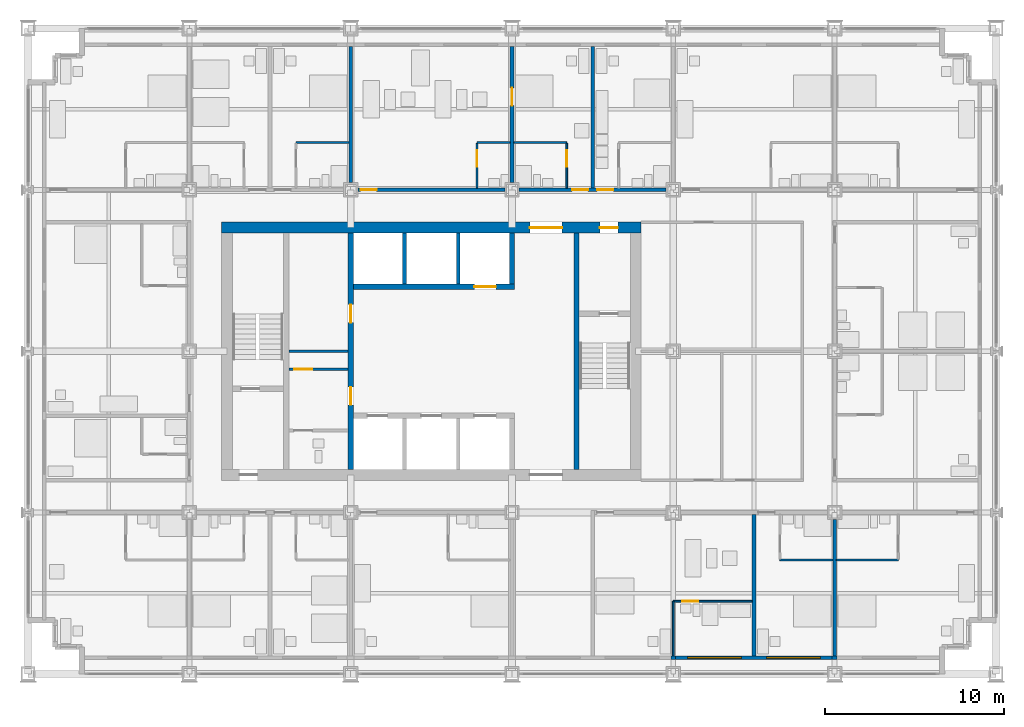
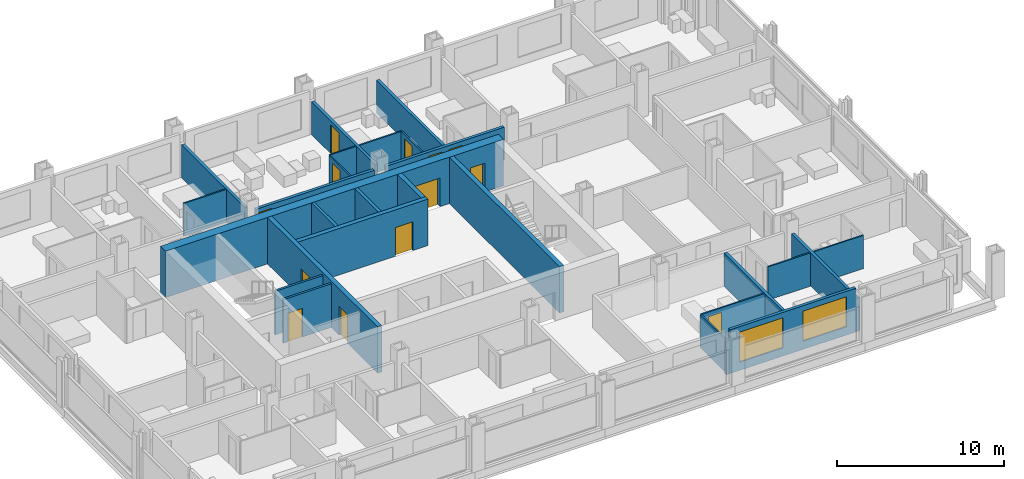
# One storey, part 12 of 18: 28 walls, 13 doors, 2 windows, 15 openings.
"""IFC4 building model written with IfcOpenShell, lengths in metres."""

from ifc_helpers import new_model, si_unit, direction, frame, frame_2d, origin, place, context, subcontext, project, spatial, rectangle, extrude, material, layer, layer_set, type_object, element, fill, save


model = new_model("IFC4")

# Units and contexts
model_context = context("Model", 3, precision=1e-05, world=origin(), true_north=direction((0.0, 1.0)))
body_context = subcontext(model_context, "Body", "Model", "MODEL_VIEW")
ifc_project = project(units=[si_unit("LENGTHUNIT", "METRE"), si_unit("AREAUNIT", "SQUARE_METRE"), si_unit("VOLUMEUNIT", "CUBIC_METRE"), si_unit("PLANEANGLEUNIT", "RADIAN"), si_unit("MASSUNIT", "GRAM", prefix="KILO")], contexts=[model_context])

# Site, building, storey
site_placement = place(None, origin())
site = spatial("IfcSite", under=ifc_project, at=site_placement, CompositionType="ELEMENT")
building_placement = place(site_placement, origin())
building = spatial("IfcBuilding", under=site, at=building_placement, Name="Loomwork Tower", CompositionType="ELEMENT")
storey_placement = place(building_placement, frame((0.0, 0.0, 34.800048828125)))
storey = spatial("IfcBuildingStorey", under=building, at=storey_placement, Name="L07", CompositionType="ELEMENT", Elevation=34.800048828125)

# Wall, openings, doors
ifc_material_1 = material(Name="Concrete 14000 psi (97 MPa)", Category="concrete")
ifc_layer_1 = layer(ifc_material_1, 0.300048828125)
ifc_layer_set_1 = layer_set([ifc_layer_1], Name="Core shear wall 300")
wall_type_1 = type_object("IfcWallType", Name="Core shear wall 300", PredefinedType="SHEAR", material=ifc_layer_set_1)
wall_1_placement = place(storey_placement, frame((18.0, 11.39990234375, 0.0), z_axis=(0.0, 0.0, 1.0), x_axis=(0.0, 1.0, 0.0)))
wall_1 = element("IfcWall", 1, at=wall_1_placement, inside=storey, type_object=wall_type_1, Name="Lobby west wall L07", PredefinedType="SHEAR", context=body_context, shape_type="SweptSolid", body=[
    extrude(rectangle(XDim=13.2001953125, YDim=0.300048828125, at=frame_2d((6.60009765625, 0.0))), origin(), (0.0, 0.0, 1.0), 3.39990234375),
])
opening_1_placement = place(wall_1_placement, frame((3.60009765625, 0.0, 0.0)))
opening_1 = element("IfcOpeningElement", 2, at=opening_1_placement, cuts=wall_1, Name="Opening D5", PredefinedType="OPENING", context=body_context, shape_type="SweptSolid", body=[
    extrude(rectangle(XDim=1.0, YDim=2.10009765625, at=frame_2d((0.5, 1.050048828125))), frame((0.0, 0.159912109375, 0.0), z_axis=(0.0, -1.0, 0.0), x_axis=(1.0, 0.0, 0.0)), (0.0, 0.0, 1.0), 0.320068359375),
])
opening_2_placement = place(wall_1_placement, frame((8.199951171875, 0.0, 0.0)))
opening_2 = element("IfcOpeningElement", 3, at=opening_2_placement, cuts=wall_1, Name="Opening D5", PredefinedType="OPENING", context=body_context, shape_type="SweptSolid", body=[
    extrude(rectangle(XDim=1.0, YDim=2.10009765625, at=frame_2d((0.5, 1.050048828125))), frame((0.0, 0.159912109375, 0.0), z_axis=(0.0, -1.0, 0.0), x_axis=(1.0, 0.0, 0.0)), (0.0, 0.0, 1.0), 0.320068359375),
])
ifc_material_2 = material(Name="Hollow metal door and frame")
door_type_1 = type_object("IfcDoorType", Name="Service door 1000", OperationType="SINGLE_SWING_LEFT", PredefinedType="DOOR", material=ifc_material_2)
door_1_placement = place(opening_1_placement, origin())
door_1 = element("IfcDoor", 4, at=door_1_placement, inside=storey, type_object=door_type_1, Name="Back-of-house door south", OperationType="SINGLE_SWING_LEFT", OverallHeight=2.10009765625, OverallWidth=1.0, PredefinedType="DOOR", context=body_context, shape_type="SweptSolid", body=[
    extrude(rectangle(XDim=1.0, YDim=2.10009765625, at=frame_2d((0.5, 1.050048828125))), frame((0.0, 0.02490234375, 0.0), z_axis=(0.0, -1.0, 0.0), x_axis=(1.0, 0.0, 0.0)), (0.0, 0.0, 1.0), 0.050048828125),
])
fill(opening_1, door_1)
door_2_placement = place(opening_2_placement, origin())
door_2 = element("IfcDoor", 5, at=door_2_placement, inside=storey, type_object=door_type_1, Name="Back-of-house door north", OperationType="SINGLE_SWING_RIGHT", OverallHeight=2.10009765625, OverallWidth=1.0, PredefinedType="DOOR", context=body_context, shape_type="SweptSolid", body=[
    extrude(rectangle(XDim=1.0, YDim=2.10009765625, at=frame_2d((0.5, 1.050048828125))), frame((0.0, 0.02490234375, 0.0), z_axis=(0.0, -1.0, 0.0), x_axis=(1.0, 0.0, 0.0)), (0.0, 0.0, 1.0), 0.050048828125),
])
fill(opening_2, door_2)

# Wall, opening, door
wall_2_placement = place(storey_placement, frame((18.14990234375, 21.60009765625, 0.0), z_axis=(0.0, 0.0, 1.0), x_axis=(1.0, 0.0, 0.0)))
wall_2 = element("IfcWall", 6, at=wall_2_placement, inside=storey, type_object=wall_type_1, Name="Lift front wall north L07", PredefinedType="SHEAR", context=body_context, shape_type="SweptSolid", body=[
    extrude(rectangle(XDim=9.0, YDim=0.300048828125, at=frame_2d((4.5, 0.0))), origin(), (0.0, 0.0, 1.0), 3.39990234375),
])
opening_3_placement = place(wall_2_placement, frame((6.75, 0.0, 0.0)))
opening_3 = element("IfcOpeningElement", 7, at=opening_3_placement, cuts=wall_2, Name="Opening LD2", PredefinedType="OPENING", context=body_context, shape_type="SweptSolid", body=[
    extrude(rectangle(XDim=1.199951171875, YDim=2.10009765625, at=frame_2d((0.60009765625, 1.050048828125))), frame((0.0, 0.159912109375, 0.0), z_axis=(0.0, -1.0, 0.0), x_axis=(1.0, 0.0, 0.0)), (0.0, 0.0, 1.0), 0.320068359375),
])
ifc_material_3 = material(Name="Hollow metal door and frame")
door_type_2 = type_object("IfcDoorType", Name="Lift landing door 1200", OperationType="SLIDING_TO_LEFT", PredefinedType="DOOR", material=ifc_material_3)
door_3_placement = place(opening_3_placement, origin())
door_3 = element("IfcDoor", 8, at=door_3_placement, inside=storey, type_object=door_type_2, Name="Lift landing door LF2", OperationType="SLIDING_TO_LEFT", OverallHeight=2.10009765625, OverallWidth=1.199951171875, PredefinedType="DOOR", context=body_context, shape_type="SweptSolid", body=[
    extrude(rectangle(XDim=1.199951171875, YDim=2.10009765625, at=frame_2d((0.60009765625, 1.050048828125))), frame((0.0, 0.02490234375, 0.0), z_axis=(0.0, -1.0, 0.0), x_axis=(1.0, 0.0, 0.0)), (0.0, 0.0, 1.0), 0.050048828125),
])
fill(opening_3, door_3)

# Walls
wall_3_placement = place(storey_placement, frame((27.0, 21.75, 0.0), z_axis=(0.0, 0.0, 1.0), x_axis=(0.0, 1.0, 0.0)))
element("IfcWall", 9, at=wall_3_placement, inside=storey, type_object=wall_type_1, Name="Lift shaft end wall north L07", PredefinedType="SHEAR", context=body_context, shape_type="SweptSolid", body=[
    extrude(rectangle(XDim=2.85009765625, YDim=0.300048828125, at=frame_2d((1.425048828125, 0.0))), origin(), (0.0, 0.0, 1.0), 3.39990234375),
])
wall_4_placement = place(storey_placement, frame((30.60009765625, 11.39990234375, 0.0), z_axis=(0.0, 0.0, 1.0), x_axis=(0.0, 1.0, 0.0)))
element("IfcWall", 10, at=wall_4_placement, inside=storey, type_object=wall_type_1, Name="Stair B west wall L07", PredefinedType="SHEAR", context=body_context, shape_type="SweptSolid", body=[
    extrude(rectangle(XDim=13.2001953125, YDim=0.300048828125, at=frame_2d((6.60009765625, 0.0))), origin(), (0.0, 0.0, 1.0), 3.39990234375),
])

# Wall, openings, doors
ifc_material_4 = material(Name="Concrete 14000 psi (97 MPa)", Category="concrete")
ifc_layer_2 = layer(ifc_material_4, 0.60009765625)
ifc_layer_set_2 = layer_set([ifc_layer_2], Name="Core shear wall 600")
wall_type_2 = type_object("IfcWallType", Name="Core shear wall 600", PredefinedType="SHEAR", material=ifc_layer_set_2)
wall_5_placement = place(storey_placement, frame((10.800048828125, 24.89990234375, 0.0), z_axis=(0.0, 0.0, 1.0), x_axis=(1.0, 0.0, 0.0)))
wall_5 = element("IfcWall", 11, at=wall_5_placement, inside=storey, type_object=wall_type_2, Name="Core wall north L07", PredefinedType="SHEAR", context=body_context, shape_type="SweptSolid", body=[
    extrude(rectangle(XDim=23.39990234375, YDim=0.60009765625, at=frame_2d((11.699951171875, 0.0))), origin(), (0.0, 0.0, 1.0), 3.39990234375),
])
opening_4_placement = place(wall_5_placement, frame((17.199951171875, 0.0, 0.0)))
opening_4 = element("IfcOpeningElement", 12, at=opening_4_placement, cuts=wall_5, Name="Opening D6", PredefinedType="OPENING", context=body_context, shape_type="SweptSolid", body=[
    extrude(rectangle(XDim=1.800048828125, YDim=2.10009765625, at=frame_2d((0.89990234375, 1.050048828125))), frame((0.0, 0.31005859375, 0.0), z_axis=(0.0, -1.0, 0.0), x_axis=(1.0, 0.0, 0.0)), (0.0, 0.0, 1.0), 0.6201171875),
])
opening_5_placement = place(wall_5_placement, frame((21.10009765625, 0.0, 0.0)))
opening_5 = element("IfcOpeningElement", 13, at=opening_5_placement, cuts=wall_5, Name="Opening D4", PredefinedType="OPENING", context=body_context, shape_type="SweptSolid", body=[
    extrude(rectangle(XDim=1.0, YDim=2.10009765625, at=frame_2d((0.5, 1.050048828125))), frame((0.0, 0.31005859375, 0.0), z_axis=(0.0, -1.0, 0.0), x_axis=(1.0, 0.0, 0.0)), (0.0, 0.0, 1.0), 0.6201171875),
])
ifc_material_5 = material(Name="Hollow metal door and frame")
door_type_3 = type_object("IfcDoorType", Name="Lobby passage double door 1800", OperationType="DOUBLE_DOOR_SINGLE_SWING", PredefinedType="DOOR", material=ifc_material_5)
door_4_placement = place(opening_4_placement, frame((1.800048828125, 0.0, 0.0), z_axis=(0.0, 0.0, 1.0), x_axis=(-1.0, 0.0, 0.0)))
door_4 = element("IfcDoor", 14, at=door_4_placement, inside=storey, type_object=door_type_3, Name="Lobby passage door north", OperationType="DOUBLE_DOOR_SINGLE_SWING", OverallHeight=2.10009765625, OverallWidth=1.800048828125, PredefinedType="DOOR", context=body_context, shape_type="SweptSolid", body=[
    extrude(rectangle(XDim=1.800048828125, YDim=2.10009765625, at=frame_2d((0.89990234375, 1.050048828125))), frame((0.0, 0.02490234375, 0.0), z_axis=(0.0, -1.0, 0.0), x_axis=(1.0, 0.0, 0.0)), (0.0, 0.0, 1.0), 0.050048828125),
])
fill(opening_4, door_4)
ifc_material_6 = material(Name="Hollow metal door and frame")
door_type_4 = type_object("IfcDoorType", Name="Stair door 1000", OperationType="SINGLE_SWING_RIGHT", PredefinedType="DOOR", material=ifc_material_6)
door_5_placement = place(opening_5_placement, frame((1.0, 0.0, 0.0), z_axis=(0.0, 0.0, 1.0), x_axis=(-1.0, 0.0, 0.0)))
door_5 = element("IfcDoor", 15, at=door_5_placement, inside=storey, type_object=door_type_4, Name="Stair B vestibule door", OperationType="SINGLE_SWING_LEFT", OverallHeight=2.10009765625, OverallWidth=1.0, PredefinedType="DOOR", context=body_context, shape_type="SweptSolid", body=[
    extrude(rectangle(XDim=1.0, YDim=2.10009765625, at=frame_2d((0.5, 1.050048828125))), frame((0.0, 0.02490234375, 0.0), z_axis=(0.0, -1.0, 0.0), x_axis=(1.0, 0.0, 0.0)), (0.0, 0.0, 1.0), 0.050048828125),
])
fill(opening_5, door_5)

# Wall, opening, door
ifc_material_7 = material(Name="Gypsum board on steel studs, one-hour", Category="steel")
ifc_layer_3 = layer(ifc_material_7, 0.199951171875)
ifc_layer_set_3 = layer_set([ifc_layer_3], Name="Corridor wall 200")
wall_type_3 = type_object("IfcWallType", Name="Corridor wall 200", PredefinedType="PARTITIONING", material=ifc_layer_set_3)
wall_6_placement = place(storey_placement, frame((18.39990234375, 27.0, 0.0), z_axis=(0.0, 0.0, 1.0), x_axis=(1.0, 0.0, 0.0)))
wall_6 = element("IfcWall", 16, at=wall_6_placement, inside=storey, type_object=wall_type_3, Name="North corridor wall 3", PredefinedType="PARTITIONING", context=body_context, shape_type="SweptSolid", body=[
    extrude(rectangle(XDim=8.2001953125, YDim=0.199951171875, at=frame_2d((4.10009765625, 0.0))), origin(), (0.0, 0.0, 1.0), 2.405029296875),
])
opening_6_placement = place(wall_6_placement, frame((0.14990234375, 0.0, 0.0)))
opening_6 = element("IfcOpeningElement", 17, at=opening_6_placement, cuts=wall_6, Name="Opening D1", PredefinedType="OPENING", context=body_context, shape_type="SweptSolid", body=[
    extrude(rectangle(XDim=0.89990234375, YDim=2.10009765625, at=frame_2d((0.449951171875, 1.050048828125))), frame((0.0, 0.10986328125, 0.0), z_axis=(0.0, -1.0, 0.0), x_axis=(1.0, 0.0, 0.0)), (0.0, 0.0, 1.0), 0.219970703125),
])
ifc_material_8 = material(Name="Hollow metal door and frame")
door_type_5 = type_object("IfcDoorType", Name="Guest room entry door 900", OperationType="SINGLE_SWING_LEFT", PredefinedType="DOOR", material=ifc_material_8)
door_6_placement = place(opening_6_placement, origin())
door_6 = element("IfcDoor", 18, at=door_6_placement, inside=storey, type_object=door_type_5, Name="Guest room entry door L07 11", OperationType="SINGLE_SWING_LEFT", OverallHeight=2.10009765625, OverallWidth=0.89990234375, PredefinedType="DOOR", context=body_context, shape_type="SweptSolid", body=[
    extrude(rectangle(XDim=0.89990234375, YDim=2.10009765625, at=frame_2d((0.449951171875, 1.050048828125))), frame((0.0, 0.02490234375, 0.0), z_axis=(0.0, -1.0, 0.0), x_axis=(1.0, 0.0, 0.0)), (0.0, 0.0, 1.0), 0.050048828125),
])
fill(opening_6, door_6)

# Wall, openings, doors
wall_7_placement = place(storey_placement, frame((27.39990234375, 27.0, 0.0), z_axis=(0.0, 0.0, 1.0), x_axis=(1.0, 0.0, 0.0)))
wall_7 = element("IfcWall", 19, at=wall_7_placement, inside=storey, type_object=wall_type_3, Name="North corridor wall 4", PredefinedType="PARTITIONING", context=body_context, shape_type="SweptSolid", body=[
    extrude(rectangle(XDim=8.2001953125, YDim=0.199951171875, at=frame_2d((4.10009765625, 0.0))), origin(), (0.0, 0.0, 1.0), 2.405029296875),
])
opening_7_placement = place(wall_7_placement, frame((2.949951171875, 0.0, 0.0)))
opening_7 = element("IfcOpeningElement", 20, at=opening_7_placement, cuts=wall_7, Name="Opening D1", PredefinedType="OPENING", context=body_context, shape_type="SweptSolid", body=[
    extrude(rectangle(XDim=0.89990234375, YDim=2.10009765625, at=frame_2d((0.449951171875, 1.050048828125))), frame((0.0, 0.10986328125, 0.0), z_axis=(0.0, -1.0, 0.0), x_axis=(1.0, 0.0, 0.0)), (0.0, 0.0, 1.0), 0.219970703125),
])
opening_8_placement = place(wall_7_placement, frame((4.35009765625, 0.0, 0.0)))
opening_8 = element("IfcOpeningElement", 21, at=opening_8_placement, cuts=wall_7, Name="Opening D1", PredefinedType="OPENING", context=body_context, shape_type="SweptSolid", body=[
    extrude(rectangle(XDim=0.89990234375, YDim=2.10009765625, at=frame_2d((0.449951171875, 1.050048828125))), frame((0.0, 0.10986328125, 0.0), z_axis=(0.0, -1.0, 0.0), x_axis=(1.0, 0.0, 0.0)), (0.0, 0.0, 1.0), 0.219970703125),
])
door_7_placement = place(opening_7_placement, origin())
door_7 = element("IfcDoor", 22, at=door_7_placement, inside=storey, type_object=door_type_5, Name="Guest room entry door L07 12", OperationType="SINGLE_SWING_RIGHT", OverallHeight=2.10009765625, OverallWidth=0.89990234375, PredefinedType="DOOR", context=body_context, shape_type="SweptSolid", body=[
    extrude(rectangle(XDim=0.89990234375, YDim=2.10009765625, at=frame_2d((0.449951171875, 1.050048828125))), frame((0.0, 0.02490234375, 0.0), z_axis=(0.0, -1.0, 0.0), x_axis=(1.0, 0.0, 0.0)), (0.0, 0.0, 1.0), 0.050048828125),
])
fill(opening_7, door_7)
door_8_placement = place(opening_8_placement, origin())
door_8 = element("IfcDoor", 23, at=door_8_placement, inside=storey, type_object=door_type_5, Name="Guest room entry door L07 13", OperationType="SINGLE_SWING_LEFT", OverallHeight=2.10009765625, OverallWidth=0.89990234375, PredefinedType="DOOR", context=body_context, shape_type="SweptSolid", body=[
    extrude(rectangle(XDim=0.89990234375, YDim=2.10009765625, at=frame_2d((0.449951171875, 1.050048828125))), frame((0.0, 0.02490234375, 0.0), z_axis=(0.0, -1.0, 0.0), x_axis=(1.0, 0.0, 0.0)), (0.0, 0.0, 1.0), 0.050048828125),
])
fill(opening_8, door_8)

# Wall, opening, door
ifc_material_9 = material(Name="Cement board on steel studs", Category="steel")
ifc_layer_4 = layer(ifc_material_9, 0.10009765625)
ifc_layer_set_4 = layer_set([ifc_layer_4], Name="En-suite partition 100")
wall_type_4 = type_object("IfcWallType", Name="En-suite partition 100", PredefinedType="PARTITIONING", material=ifc_layer_set_4)
wall_8_placement = place(storey_placement, frame((36.0, 4.050048828125, 0.0), z_axis=(0.0, 0.0, 1.0), x_axis=(1.0, 0.0, 0.0)))
wall_8 = element("IfcWall", 24, at=wall_8_placement, inside=storey, type_object=wall_type_4, Name="Spa bathroom wall L07 room 5", PredefinedType="PARTITIONING", context=body_context, shape_type="SweptSolid", body=[
    extrude(rectangle(XDim=4.39990234375, YDim=0.10009765625, at=frame_2d((2.199951171875, 0.0))), origin(), (0.0, 0.0, 1.0), 2.43798828125),
])
opening_9_placement = place(wall_8_placement, frame((0.5, 0.0, 0.0)))
opening_9 = element("IfcOpeningElement", 25, at=opening_9_placement, cuts=wall_8, Name="Opening D2", PredefinedType="OPENING", context=body_context, shape_type="SweptSolid", body=[
    extrude(rectangle(XDim=0.89990234375, YDim=2.10009765625, at=frame_2d((0.449951171875, 1.050048828125))), frame((0.0, 0.06005859375, 0.0), z_axis=(0.0, -1.0, 0.0), x_axis=(1.0, 0.0, 0.0)), (0.0, 0.0, 1.0), 0.1201171875),
])
ifc_material_10 = material(Name="Hollow metal door and frame")
door_type_6 = type_object("IfcDoorType", Name="En-suite door 900", OperationType="SINGLE_SWING_LEFT", PredefinedType="DOOR", material=ifc_material_10)
door_9_placement = place(opening_9_placement, frame((0.89990234375, 0.0, 0.0), z_axis=(0.0, 0.0, 1.0), x_axis=(-1.0, 0.0, 0.0)))
door_9 = element("IfcDoor", 26, at=door_9_placement, inside=storey, type_object=door_type_6, Name="Spa bathroom door room 5", OperationType="SINGLE_SWING_RIGHT", OverallHeight=2.10009765625, OverallWidth=0.89990234375, PredefinedType="DOOR", context=body_context, shape_type="SweptSolid", body=[
    extrude(rectangle(XDim=0.89990234375, YDim=2.10009765625, at=frame_2d((0.449951171875, 1.050048828125))), frame((0.0, 0.02490234375, 0.0), z_axis=(0.0, -1.0, 0.0), x_axis=(1.0, 0.0, 0.0)), (0.0, 0.0, 1.0), 0.050048828125),
])
fill(opening_9, door_9)

# Walls
wall_9_placement = place(storey_placement, frame((36.0, 4.050048828125, 0.0), z_axis=(0.0, 0.0, 1.0), x_axis=(0.0, -1.0, 0.0)))
element("IfcWall", 27, at=wall_9_placement, inside=storey, type_object=wall_type_4, Name="Spa bathroom side wall L07 room 5", PredefinedType="PARTITIONING", context=body_context, shape_type="SweptSolid", body=[
    extrude(rectangle(XDim=3.050048828125, YDim=0.10009765625, at=frame_2d((1.52490234375, 0.0))), origin(), (0.0, 0.0, 1.0), 2.43798828125),
])
wall_10_placement = place(storey_placement, frame((41.949951171875, 6.35009765625, 0.0), z_axis=(0.0, 0.0, 1.0), x_axis=(1.0, 0.0, 0.0)))
element("IfcWall", 28, at=wall_10_placement, inside=storey, type_object=wall_type_4, Name="En-suite wall L07 room 6", PredefinedType="PARTITIONING", context=body_context, shape_type="SweptSolid", body=[
    extrude(rectangle(XDim=2.949951171875, YDim=0.10009765625, at=frame_2d((1.47509765625, 0.0))), origin(), (0.0, 0.0, 1.0), 2.43798828125),
])
wall_11_placement = place(storey_placement, frame((45.10009765625, 6.35009765625, 0.0), z_axis=(0.0, 0.0, 1.0), x_axis=(1.0, 0.0, 0.0)))
element("IfcWall", 29, at=wall_11_placement, inside=storey, type_object=wall_type_4, Name="En-suite wall L07 room 7", PredefinedType="PARTITIONING", context=body_context, shape_type="SweptSolid", body=[
    extrude(rectangle(XDim=3.449951171875, YDim=0.10009765625, at=frame_2d((1.72509765625, 0.0))), origin(), (0.0, 0.0, 1.0), 2.43798828125),
])
wall_12_placement = place(storey_placement, frame((14.949951171875, 29.64990234375, 0.0), z_axis=(0.0, 0.0, 1.0), x_axis=(1.0, 0.0, 0.0)))
element("IfcWall", 30, at=wall_12_placement, inside=storey, type_object=wall_type_4, Name="En-suite wall L07 room 10", PredefinedType="PARTITIONING", context=body_context, shape_type="SweptSolid", body=[
    extrude(rectangle(XDim=2.949951171875, YDim=0.10009765625, at=frame_2d((1.47509765625, 0.0))), origin(), (0.0, 0.0, 1.0), 2.404052734375),
])
wall_13_placement = place(storey_placement, frame((25.050048828125, 29.64990234375, 0.0), z_axis=(0.0, 0.0, 1.0), x_axis=(1.0, 0.0, 0.0)))
element("IfcWall", 31, at=wall_13_placement, inside=storey, type_object=wall_type_4, Name="En-suite wall L07 room 11", PredefinedType="PARTITIONING", context=body_context, shape_type="SweptSolid", body=[
    extrude(rectangle(XDim=1.849853515625, YDim=0.10009765625, at=frame_2d((0.9248046875, 0.0))), origin(), (0.0, 0.0, 1.0), 2.404052734375),
])

# Wall, opening, door
wall_14_placement = place(storey_placement, frame((25.050048828125, 27.10009765625, 0.0), z_axis=(0.0, 0.0, 1.0), x_axis=(0.0, 1.0, 0.0)))
wall_14 = element("IfcWall", 32, at=wall_14_placement, inside=storey, type_object=wall_type_4, Name="En-suite side wall L07 room 11", PredefinedType="PARTITIONING", context=body_context, shape_type="SweptSolid", body=[
    extrude(rectangle(XDim=2.5, YDim=0.10009765625, at=frame_2d((1.25, 0.0))), origin(), (0.0, 0.0, 1.0), 2.404052734375),
])
opening_10_placement = place(wall_14_placement, frame((1.199951171875, 0.0, 0.0)))
opening_10 = element("IfcOpeningElement", 33, at=opening_10_placement, cuts=wall_14, Name="Opening D2", PredefinedType="OPENING", context=body_context, shape_type="SweptSolid", body=[
    extrude(rectangle(XDim=0.89990234375, YDim=2.10009765625, at=frame_2d((0.449951171875, 1.050048828125))), frame((0.0, 0.06005859375, 0.0), z_axis=(0.0, -1.0, 0.0), x_axis=(1.0, 0.0, 0.0)), (0.0, 0.0, 1.0), 0.1201171875),
])
door_10_placement = place(opening_10_placement, frame((0.89990234375, 0.0, 0.0), z_axis=(0.0, 0.0, 1.0), x_axis=(-1.0, 0.0, 0.0)))
door_10 = element("IfcDoor", 34, at=door_10_placement, inside=storey, type_object=door_type_6, Name="Suite powder room door room 11", OperationType="SINGLE_SWING_LEFT", OverallHeight=2.10009765625, OverallWidth=0.89990234375, PredefinedType="DOOR", context=body_context, shape_type="SweptSolid", body=[
    extrude(rectangle(XDim=0.89990234375, YDim=2.10009765625, at=frame_2d((0.449951171875, 1.050048828125))), frame((0.0, 0.02490234375, 0.0), z_axis=(0.0, -1.0, 0.0), x_axis=(1.0, 0.0, 0.0)), (0.0, 0.0, 1.0), 0.050048828125),
])
fill(opening_10, door_10)

# Wall
wall_15_placement = place(storey_placement, frame((27.10009765625, 29.64990234375, 0.0), z_axis=(0.0, 0.0, 1.0), x_axis=(1.0, 0.0, 0.0)))
element("IfcWall", 35, at=wall_15_placement, inside=storey, type_object=wall_type_4, Name="En-suite wall L07 room 12", PredefinedType="PARTITIONING", context=body_context, shape_type="SweptSolid", body=[
    extrude(rectangle(XDim=2.949951171875, YDim=0.10009765625, at=frame_2d((1.47509765625, 0.0))), origin(), (0.0, 0.0, 1.0), 2.404052734375),
])

# Wall, opening, door
wall_16_placement = place(storey_placement, frame((30.050048828125, 27.10009765625, 0.0), z_axis=(0.0, 0.0, 1.0), x_axis=(0.0, 1.0, 0.0)))
wall_16 = element("IfcWall", 36, at=wall_16_placement, inside=storey, type_object=wall_type_4, Name="En-suite side wall L07 room 12", PredefinedType="PARTITIONING", context=body_context, shape_type="SweptSolid", body=[
    extrude(rectangle(XDim=2.5, YDim=0.10009765625, at=frame_2d((1.25, 0.0))), origin(), (0.0, 0.0, 1.0), 2.404052734375),
])
opening_11_placement = place(wall_16_placement, frame((1.199951171875, 0.0, 0.0)))
opening_11 = element("IfcOpeningElement", 37, at=opening_11_placement, cuts=wall_16, Name="Opening D2", PredefinedType="OPENING", context=body_context, shape_type="SweptSolid", body=[
    extrude(rectangle(XDim=0.89990234375, YDim=2.10009765625, at=frame_2d((0.449951171875, 1.050048828125))), frame((0.0, 0.06005859375, 0.0), z_axis=(0.0, -1.0, 0.0), x_axis=(1.0, 0.0, 0.0)), (0.0, 0.0, 1.0), 0.1201171875),
])
door_11_placement = place(opening_11_placement, origin())
door_11 = element("IfcDoor", 38, at=door_11_placement, inside=storey, type_object=door_type_6, Name="En-suite door room 12", OperationType="SINGLE_SWING_RIGHT", OverallHeight=2.10009765625, OverallWidth=0.89990234375, PredefinedType="DOOR", context=body_context, shape_type="SweptSolid", body=[
    extrude(rectangle(XDim=0.89990234375, YDim=2.10009765625, at=frame_2d((0.449951171875, 1.050048828125))), frame((0.0, 0.02490234375, 0.0), z_axis=(0.0, -1.0, 0.0), x_axis=(1.0, 0.0, 0.0)), (0.0, 0.0, 1.0), 0.050048828125),
])
fill(opening_11, door_11)

# Walls
ifc_material_11 = material(Name="Gypsum board on steel studs, acoustic", Category="steel")
ifc_layer_5 = layer(ifc_material_11, 0.199951171875)
ifc_layer_set_5 = layer_set([ifc_layer_5], Name="Guest room party wall 200")
wall_type_5 = type_object("IfcWallType", Name="Guest room party wall 200", PredefinedType="PARTITIONING", material=ifc_layer_set_5)
wall_17_placement = place(storey_placement, frame((40.5, 8.89990234375, 0.0), z_axis=(0.0, 0.0, 1.0), x_axis=(0.0, -1.0, 0.0)))
element("IfcWall", 39, at=wall_17_placement, inside=storey, type_object=wall_type_5, Name="Guest room party wall S 40.5", PredefinedType="PARTITIONING", context=body_context, shape_type="SweptSolid", body=[
    extrude(rectangle(XDim=7.89990234375, YDim=0.199951171875, at=frame_2d((3.949951171875, 0.0))), origin(), (0.0, 0.0, 1.0), 2.43798828125),
])
wall_18_placement = place(storey_placement, frame((45.0, 8.60009765625, 0.0), z_axis=(0.0, 0.0, 1.0), x_axis=(0.0, -1.0, 0.0)))
element("IfcWall", 40, at=wall_18_placement, inside=storey, type_object=wall_type_5, Name="Guest room party wall S 45", PredefinedType="PARTITIONING", context=body_context, shape_type="SweptSolid", body=[
    extrude(rectangle(XDim=7.60009765625, YDim=0.199951171875, at=frame_2d((3.800048828125, 0.0))), origin(), (0.0, 0.0, 1.0), 2.43798828125),
])
wall_19_placement = place(storey_placement, frame((18.0, 27.39990234375, 0.0), z_axis=(0.0, 0.0, 1.0), x_axis=(0.0, 1.0, 0.0)))
element("IfcWall", 41, at=wall_19_placement, inside=storey, type_object=wall_type_5, Name="Guest room party wall N 18", PredefinedType="PARTITIONING", context=body_context, shape_type="SweptSolid", body=[
    extrude(rectangle(XDim=7.60009765625, YDim=0.199951171875, at=frame_2d((3.800048828125, 0.0))), origin(), (0.0, 0.0, 1.0), 2.405029296875),
])

# Wall, opening, door
wall_20_placement = place(storey_placement, frame((27.0, 27.39990234375, 0.0), z_axis=(0.0, 0.0, 1.0), x_axis=(0.0, 1.0, 0.0)))
wall_20 = element("IfcWall", 42, at=wall_20_placement, inside=storey, type_object=wall_type_5, Name="Guest room party wall N 27", PredefinedType="PARTITIONING", context=body_context, shape_type="SweptSolid", body=[
    extrude(rectangle(XDim=7.60009765625, YDim=0.199951171875, at=frame_2d((3.800048828125, 0.0))), origin(), (0.0, 0.0, 1.0), 2.405029296875),
])
opening_12_placement = place(wall_20_placement, frame((4.300048828125, 0.0, 0.0)))
opening_12 = element("IfcOpeningElement", 43, at=opening_12_placement, cuts=wall_20, Name="Opening D7", PredefinedType="OPENING", context=body_context, shape_type="SweptSolid", body=[
    extrude(rectangle(XDim=1.0, YDim=2.10009765625, at=frame_2d((0.5, 1.050048828125))), frame((0.0, 0.10986328125, 0.0), z_axis=(0.0, -1.0, 0.0), x_axis=(1.0, 0.0, 0.0)), (0.0, 0.0, 1.0), 0.219970703125),
])
ifc_material_12 = material(Name="Hollow metal door and frame")
door_type_7 = type_object("IfcDoorType", Name="Room door 1000", OperationType="SINGLE_SWING_LEFT", PredefinedType="DOOR", material=ifc_material_12)
door_12_placement = place(opening_12_placement, frame((1.0, 0.0, 0.0), z_axis=(0.0, 0.0, 1.0), x_axis=(-1.0, 0.0, 0.0)))
door_12 = element("IfcDoor", 44, at=door_12_placement, inside=storey, type_object=door_type_7, Name="Suite connecting door L07 N 27", OperationType="SINGLE_SWING_RIGHT", OverallHeight=2.10009765625, OverallWidth=1.0, PredefinedType="DOOR", context=body_context, shape_type="SweptSolid", body=[
    extrude(rectangle(XDim=1.0, YDim=2.10009765625, at=frame_2d((0.5, 1.050048828125))), frame((0.0, 0.02490234375, 0.0), z_axis=(0.0, -1.0, 0.0), x_axis=(1.0, 0.0, 0.0)), (0.0, 0.0, 1.0), 0.050048828125),
])
fill(opening_12, door_12)

# Walls
wall_21_placement = place(storey_placement, frame((31.5, 27.10009765625, 0.0), z_axis=(0.0, 0.0, 1.0), x_axis=(0.0, 1.0, 0.0)))
element("IfcWall", 45, at=wall_21_placement, inside=storey, type_object=wall_type_5, Name="Guest room party wall N 31.5", PredefinedType="PARTITIONING", context=body_context, shape_type="SweptSolid", body=[
    extrude(rectangle(XDim=7.89990234375, YDim=0.199951171875, at=frame_2d((3.949951171875, 0.0))), origin(), (0.0, 0.0, 1.0), 2.404052734375),
])
ifc_material_13 = material(Name="Insulated steel stud wall with gypsum lining", Category="steel")
ifc_layer_6 = layer(ifc_material_13, 0.199951171875)
ifc_layer_set_6 = layer_set([ifc_layer_6], Name="Inner skin wall 200")
wall_type_6 = type_object("IfcWallType", Name="Inner skin wall 200", PredefinedType="SOLIDWALL", material=ifc_layer_set_6)
wall_22_placement = place(storey_placement, frame((35.864501953125, 0.89990234375, 0.0), z_axis=(0.0, 0.0, 1.0), x_axis=(1.0, 0.0, 0.0)))
element("IfcWall", 46, at=wall_22_placement, inside=storey, type_object=wall_type_6, Name="Inner skin wall S bay 8", PredefinedType="SOLIDWALL", context=body_context, shape_type="SweptSolid", body=[
    extrude(rectangle(XDim=0.27099609375, YDim=0.199951171875, at=frame_2d((0.135498046875, 0.0))), origin(), (0.0, 0.0, 1.0), 2.43798828125),
])

# Wall, openings, windows
wall_23_placement = place(storey_placement, frame((36.135498046875, 0.89990234375, 0.0), z_axis=(0.0, 0.0, 1.0), x_axis=(1.0, 0.0, 0.0)))
wall_23 = element("IfcWall", 47, at=wall_23_placement, inside=storey, type_object=wall_type_6, Name="Inner skin wall S bay 9", PredefinedType="SOLIDWALL", context=body_context, shape_type="SweptSolid", body=[
    extrude(rectangle(XDim=8.72900390625, YDim=0.199951171875, at=frame_2d((4.364501953125, 0.0))), origin(), (0.0, 0.0, 1.0), 3.199951171875),
])
opening_13_placement = place(wall_23_placement, frame((0.66455078125, 0.0, 0.60009765625)))
opening_13 = element("IfcOpeningElement", 48, at=opening_13_placement, cuts=wall_23, Name="Opening CH1", PredefinedType="OPENING", context=body_context, shape_type="SweptSolid", body=[
    extrude(rectangle(XDim=3.0, YDim=2.199951171875, at=frame_2d((1.5, 1.10009765625))), frame((0.0, 0.10986328125, 0.0), z_axis=(0.0, -1.0, 0.0), x_axis=(1.0, 0.0, 0.0)), (0.0, 0.0, 1.0), 0.219970703125),
])
opening_14_placement = place(wall_23_placement, frame((5.064697265625, 0.0, 0.60009765625)))
opening_14 = element("IfcOpeningElement", 49, at=opening_14_placement, cuts=wall_23, Name="Opening CH1", PredefinedType="OPENING", context=body_context, shape_type="SweptSolid", body=[
    extrude(rectangle(XDim=3.0, YDim=2.199951171875, at=frame_2d((1.5, 1.10009765625))), frame((0.0, 0.10986328125, 0.0), z_axis=(0.0, -1.0, 0.0), x_axis=(1.0, 0.0, 0.0)), (0.0, 0.0, 1.0), 0.219970703125),
])
ifc_material_14 = material(Name="Aluminium frame with clear insulated glass", Category="aluminium")
window_type = type_object("IfcWindowType", Name="Chicago window 3000", PartitioningType="TRIPLE_PANEL_VERTICAL", PredefinedType="WINDOW", material=ifc_material_14)
window_1_placement = place(opening_13_placement, origin())
window_1 = element("IfcWindow", 50, at=window_1_placement, inside=storey, type_object=window_type, Name="Chicago window L07 bay 5", OverallHeight=2.199951171875, OverallWidth=3.0, PartitioningType="TRIPLE_PANEL_VERTICAL", PredefinedType="WINDOW", context=body_context, shape_type="SweptSolid", body=[
    extrude(rectangle(XDim=3.0, YDim=2.199951171875, at=frame_2d((1.5, 1.10009765625))), frame((0.0, 0.030029296875, 0.0), z_axis=(0.0, -1.0, 0.0), x_axis=(1.0, 0.0, 0.0)), (0.0, 0.0, 1.0), 0.06005859375),
])
fill(opening_13, window_1)
window_2_placement = place(opening_14_placement, origin())
window_2 = element("IfcWindow", 51, at=window_2_placement, inside=storey, type_object=window_type, Name="Chicago window L07 bay 5", OverallHeight=2.199951171875, OverallWidth=3.0, PartitioningType="TRIPLE_PANEL_VERTICAL", PredefinedType="WINDOW", context=body_context, shape_type="SweptSolid", body=[
    extrude(rectangle(XDim=3.0, YDim=2.199951171875, at=frame_2d((1.5, 1.10009765625))), frame((0.0, 0.030029296875, 0.0), z_axis=(0.0, -1.0, 0.0), x_axis=(1.0, 0.0, 0.0)), (0.0, 0.0, 1.0), 0.06005859375),
])
fill(opening_14, window_2)

# Walls
wall_24_placement = place(storey_placement, frame((44.864501953125, 0.89990234375, 0.0), z_axis=(0.0, 0.0, 1.0), x_axis=(1.0, 0.0, 0.0)))
element("IfcWall", 52, at=wall_24_placement, inside=storey, type_object=wall_type_6, Name="Inner skin wall S bay 10", PredefinedType="SOLIDWALL", context=body_context, shape_type="SweptSolid", body=[
    extrude(rectangle(XDim=0.27099609375, YDim=0.199951171875, at=frame_2d((0.135498046875, 0.0))), origin(), (0.0, 0.0, 1.0), 2.43798828125),
])
ifc_material_15 = material(Name="Concrete 14000 psi (97 MPa)", Category="concrete")
ifc_layer_7 = layer(ifc_material_15, 0.199951171875)
ifc_layer_set_7 = layer_set([ifc_layer_7], Name="Lift shaft wall 200")
wall_type_7 = type_object("IfcWallType", Name="Lift shaft wall 200", PredefinedType="SHEAR", material=ifc_layer_set_7)
for number, where, z_axis, x_axis, name in (
    (53, (21.0, 21.75, 0.0), (0.0, 0.0, 1.0), (0.0, 1.0, 0.0), "Lift shaft separation wall north 1 L07"),
    (54, (24.0, 21.75, 0.0), (0.0, 0.0, 1.0), (0.0, 1.0, 0.0), "Lift shaft separation wall north 2 L07"),
):
    element("IfcWall", number, at=place(storey_placement, frame(where, z_axis=z_axis, x_axis=x_axis)), inside=storey, type_object=wall_type_7, Name=name, PredefinedType="SHEAR", context=body_context, shape_type="SweptSolid", body=[
        extrude(rectangle(XDim=2.85009765625, YDim=0.199951171875, at=frame_2d((1.425048828125, 0.0))), origin(), (0.0, 0.0, 1.0), 3.39990234375),
    ])
ifc_material_16 = material(Name="Gypsum board on steel studs", Category="steel")
ifc_layer_8 = layer(ifc_material_16, 0.14990234375)
ifc_layer_set_8 = layer_set([ifc_layer_8], Name="Partition 150 two-hour")
wall_type_8 = type_object("IfcWallType", Name="Partition 150 two-hour", PredefinedType="PARTITIONING", material=ifc_layer_set_8)
wall_25_placement = place(storey_placement, frame((14.550048828125, 18.0, 0.0), z_axis=(0.0, 0.0, 1.0), x_axis=(1.0, 0.0, 0.0)))
element("IfcWall", 55, at=wall_25_placement, inside=storey, type_object=wall_type_8, Name="Back-of-house dividing wall L07", PredefinedType="PARTITIONING", context=body_context, shape_type="SweptSolid", body=[
    extrude(rectangle(XDim=3.300048828125, YDim=0.14990234375, at=frame_2d((1.64990234375, 0.0))), origin(), (0.0, 0.0, 1.0), 3.199951171875),
])

# Wall, opening, door
ifc_material_17 = material(Name="Gypsum board on steel studs, one-hour", Category="steel")
ifc_layer_9 = layer(ifc_material_17, 0.14990234375)
ifc_layer_set_9 = layer_set([ifc_layer_9], Name="Service partition 150")
wall_type_9 = type_object("IfcWallType", Name="Service partition 150", PredefinedType="PARTITIONING", material=ifc_layer_set_9)
wall_26_placement = place(storey_placement, frame((14.550048828125, 17.0, 0.0), z_axis=(0.0, 0.0, 1.0), x_axis=(1.0, 0.0, 0.0)))
wall_26 = element("IfcWall", 56, at=wall_26_placement, inside=storey, type_object=wall_type_9, Name="Riser enclosure L07", PredefinedType="PARTITIONING", context=body_context, shape_type="SweptSolid", body=[
    extrude(rectangle(XDim=3.300048828125, YDim=0.14990234375, at=frame_2d((1.64990234375, 0.0))), origin(), (0.0, 0.0, 1.0), 3.199951171875),
])
opening_15_placement = place(wall_26_placement, frame((0.300048828125, 0.0, 0.0)))
opening_15 = element("IfcOpeningElement", 57, at=opening_15_placement, cuts=wall_26, Name="Opening D18", PredefinedType="OPENING", context=body_context, shape_type="SweptSolid", body=[
    extrude(rectangle(XDim=1.0, YDim=2.10009765625, at=frame_2d((0.5, 1.050048828125))), frame((0.0, 0.0849609375, 0.0), z_axis=(0.0, -1.0, 0.0), x_axis=(1.0, 0.0, 0.0)), (0.0, 0.0, 1.0), 0.169921875),
])
ifc_material_18 = material(Name="Hollow metal door and frame")
door_type_8 = type_object("IfcDoorType", Name="Ninety-minute service door 1000", OperationType="SINGLE_SWING_LEFT", PredefinedType="DOOR", material=ifc_material_18)
door_13_placement = place(opening_15_placement, frame((1.0, 0.0, 0.0), z_axis=(0.0, 0.0, 1.0), x_axis=(-1.0, 0.0, 0.0)))
door_13 = element("IfcDoor", 58, at=door_13_placement, inside=storey, type_object=door_type_8, Name="Riser access door", OperationType="SINGLE_SWING_RIGHT", OverallHeight=2.10009765625, OverallWidth=1.0, PredefinedType="DOOR", context=body_context, shape_type="SweptSolid", body=[
    extrude(rectangle(XDim=1.0, YDim=2.10009765625, at=frame_2d((0.5, 1.050048828125))), frame((0.0, 0.02490234375, 0.0), z_axis=(0.0, -1.0, 0.0), x_axis=(1.0, 0.0, 0.0)), (0.0, 0.0, 1.0), 0.050048828125),
])
fill(opening_15, door_13)

save(model, "model.ifc")
